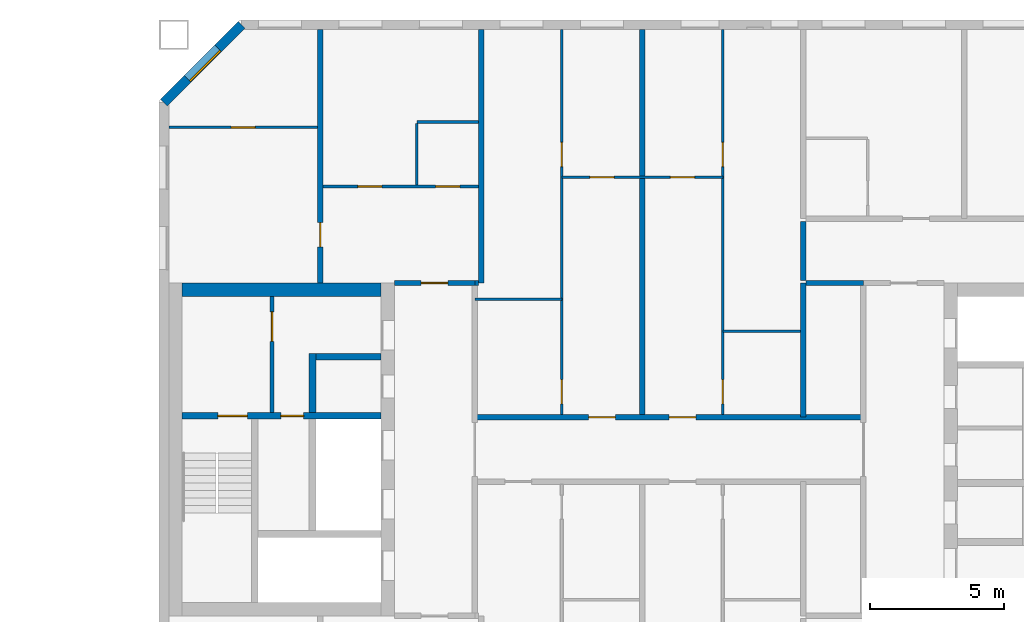
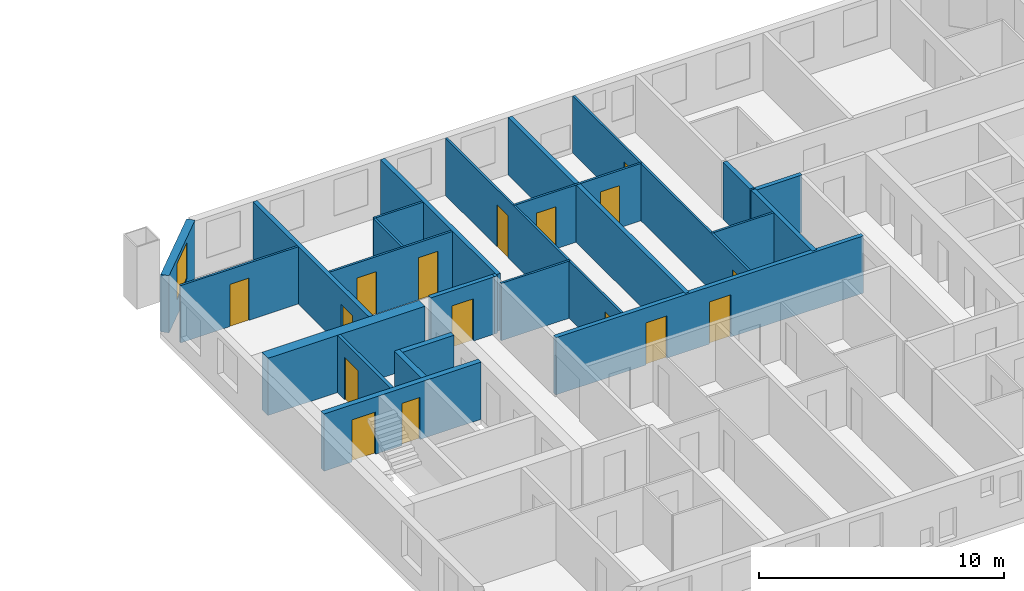
# One storey, part 10 of 15: 24 walls, 16 doors, 1 window, 17 openings.
"""IFC4 building model written with IfcOpenShell, lengths in metres."""

from ifc_helpers import new_model, si_unit, direction, frame, frame_2d, origin, place, context, subcontext, project, spatial, rectangle, extrude, material, layer, layer_set, type_object, element, fill, save


model = new_model("IFC4")

# Units and contexts
model_context = context("Model", 3, precision=1e-05, world=origin(), true_north=direction((0.0, 1.0)))
body_context = subcontext(model_context, "Body", "Model", "MODEL_VIEW")
ifc_project = project(units=[si_unit("LENGTHUNIT", "METRE"), si_unit("AREAUNIT", "SQUARE_METRE"), si_unit("VOLUMEUNIT", "CUBIC_METRE"), si_unit("PLANEANGLEUNIT", "RADIAN"), si_unit("MASSUNIT", "GRAM", prefix="KILO")], contexts=[model_context])

# Site, building, storey
site_placement = place(None, origin())
site = spatial("IfcSite", under=ifc_project, at=site_placement, CompositionType="ELEMENT")
building_placement = place(site_placement, origin())
building = spatial("IfcBuilding", under=site, at=building_placement, Name="Tuart Gate Housing", CompositionType="ELEMENT")
storey_placement = place(building_placement, frame((0.0, 0.0, 164.0)))
storey = spatial("IfcBuildingStorey", under=building, at=storey_placement, Name="L46", CompositionType="ELEMENT", Elevation=164.0)

# Wall, opening, window
ifc_material_1 = material(Name="Brick", Category="masonry")
ifc_layer_1 = layer(ifc_material_1, 0.360107421875)
ifc_layer_set_1 = layer_set([ifc_layer_1], Name="Brick pier and spandrel wall 360")
wall_type_1 = type_object("IfcWallType", Name="Brick pier and spandrel wall 360", PredefinedType="STANDARD", material=ifc_layer_set_1)
wall_1_placement = place(storey_placement, frame((134.07470703125, 85.820068359375, 0.0), z_axis=(0.0, 0.0, 1.0), x_axis=(-0.707106781187, -0.707106781187, 0.0)))
wall_1 = element("IfcWall", 1, at=wall_1_placement, inside=storey, type_object=wall_type_1, Name="External wall B-NW L46", PredefinedType="STANDARD", context=body_context, shape_type="SweptSolid", body=[
    extrude(rectangle(XDim=4.09375, YDim=0.360107421875, at=frame_2d((2.046875, 0.0))), origin(), (0.0, 0.0, 1.0), 2.85009765625),
])
opening_1_placement = place(wall_1_placement, frame((1.2470703125, 0.0, 0.800048828125)))
opening_1 = element("IfcOpeningElement", 2, at=opening_1_placement, cuts=wall_1, Name="Opening W1", PredefinedType="OPENING", context=body_context, shape_type="SweptSolid", body=[
    extrude(rectangle(XDim=1.60009765625, YDim=1.800048828125, at=frame_2d((0.800048828125, 0.89990234375))), frame((0.0, 0.18994140625, 0.0), z_axis=(0.0, -1.0, 0.0), x_axis=(1.0, 0.0, 0.0)), (0.0, 0.0, 1.0), 0.380126953125),
])
ifc_material_2 = material(Name="Aluminium frame with clear glass", Category="aluminium")
window_type = type_object("IfcWindowType", Name="Punched window 1600 x 1800", PartitioningType="SINGLE_PANEL", PredefinedType="WINDOW", material=ifc_material_2)
window_placement = place(opening_1_placement, origin())
window = element("IfcWindow", 3, at=window_placement, inside=storey, type_object=window_type, Name="Window W1", OverallHeight=1.800048828125, OverallWidth=1.60009765625, PartitioningType="SINGLE_PANEL", PredefinedType="WINDOW", context=body_context, shape_type="SweptSolid", body=[
    extrude(rectangle(XDim=1.60009765625, YDim=1.800048828125, at=frame_2d((0.800048828125, 0.89990234375))), frame((0.0, 0.150146484375, 0.0), z_axis=(0.0, -1.0, 0.0), x_axis=(1.0, 0.0, 0.0)), (0.0, 0.0, 1.0), 0.06005859375),
])
fill(opening_1, window)

# Wall, opening, door
ifc_material_3 = material(Name="Plasterboard partition")
ifc_layer_2 = layer(ifc_material_3, 0.14990234375)
ifc_layer_set_2 = layer_set([ifc_layer_2], Name="Core partition 150")
wall_type_2 = type_object("IfcWallType", Name="Core partition 150", PredefinedType="PARTITIONING", material=ifc_layer_set_2)
wall_2_placement = place(storey_placement, frame((135.2099609375, 71.375, 0.0), z_axis=(0.0, 0.0, 1.0), x_axis=(0.0, 1.0, 0.0)))
wall_2 = element("IfcWall", 4, at=wall_2_placement, inside=storey, type_object=wall_type_2, Name="Core partition BG.6", PredefinedType="PARTITIONING", context=body_context, shape_type="SweptSolid", body=[
    extrude(rectangle(XDim=4.324951171875, YDim=0.14990234375, at=frame_2d((2.16259765625, 0.0))), origin(), (0.0, 0.0, 1.0), 2.85009765625),
])
opening_2_placement = place(wall_2_placement, frame((2.64990234375, 0.0, 0.0)))
opening_2 = element("IfcOpeningElement", 5, at=opening_2_placement, cuts=wall_2, Name="Opening D1698", PredefinedType="OPENING", context=body_context, shape_type="SweptSolid", body=[
    extrude(rectangle(XDim=1.10009765625, YDim=2.10009765625, at=frame_2d((0.550048828125, 1.050048828125))), frame((0.0, 0.0849609375, 0.0), z_axis=(0.0, -1.0, 0.0), x_axis=(1.0, 0.0, 0.0)), (0.0, 0.0, 1.0), 0.169921875),
])
ifc_material_4 = material(Name="Steel fire door", Category="steel")
door_type_1 = type_object("IfcDoorType", Name="Lobby door 1100 x 2100 RH", OperationType="SINGLE_SWING_RIGHT", PredefinedType="DOOR", material=ifc_material_4)
door_1_placement = place(opening_2_placement, origin())
door_1 = element("IfcDoor", 6, at=door_1_placement, inside=storey, type_object=door_type_1, Name="Smoke lobby door BG.KD", OperationType="SINGLE_SWING_RIGHT", OverallHeight=2.10009765625, OverallWidth=1.10009765625, PredefinedType="DOOR", context=body_context, shape_type="SweptSolid", body=[
    extrude(rectangle(XDim=1.10009765625, YDim=2.10009765625, at=frame_2d((0.550048828125, 1.050048828125))), frame((0.0, 0.02490234375, 0.0), z_axis=(0.0, -1.0, 0.0), x_axis=(1.0, 0.0, 0.0)), (0.0, 0.0, 1.0), 0.050048828125),
])
fill(opening_2, door_1)

# Wall, openings, doors
ifc_material_5 = material(Name="Concrete C40", Category="concrete")
ifc_layer_3 = layer(ifc_material_5, 0.25)
ifc_layer_set_3 = layer_set([ifc_layer_3], Name="Core wall 250 C40")
wall_type_3 = type_object("IfcWallType", Name="Core wall 250 C40", PredefinedType="SHEAR", material=ifc_layer_set_3)
wall_3_placement = place(storey_placement, frame((139.260009765625, 71.25, 0.0), z_axis=(0.0, 0.0, 1.0), x_axis=(-1.0, 0.0, 0.0)))
wall_3 = element("IfcWall", 7, at=wall_3_placement, inside=storey, type_object=wall_type_3, Name="Core wall BG.2", PredefinedType="SHEAR", context=body_context, shape_type="SweptSolid", body=[
    extrude(rectangle(XDim=7.39990234375, YDim=0.25, at=frame_2d((3.699951171875, 0.0))), origin(), (0.0, 0.0, 1.0), 2.85009765625),
])
opening_3_placement = place(wall_3_placement, frame((4.97509765625, 0.0, 0.0)))
opening_3 = element("IfcOpeningElement", 8, at=opening_3_placement, cuts=wall_3, Name="Opening D1700", PredefinedType="OPENING", context=body_context, shape_type="SweptSolid", body=[
    extrude(rectangle(XDim=1.10009765625, YDim=2.10009765625, at=frame_2d((0.550048828125, 1.050048828125))), frame((0.0, 0.135009765625, 0.0), z_axis=(0.0, -1.0, 0.0), x_axis=(1.0, 0.0, 0.0)), (0.0, 0.0, 1.0), 0.27001953125),
])
opening_4_placement = place(wall_3_placement, frame((2.875, 0.0, 0.0)))
opening_4 = element("IfcOpeningElement", 9, at=opening_4_placement, cuts=wall_3, Name="Opening D1699", PredefinedType="OPENING", context=body_context, shape_type="SweptSolid", body=[
    extrude(rectangle(XDim=0.85009765625, YDim=2.10009765625, at=frame_2d((0.425048828125, 1.050048828125))), frame((0.0, 0.135009765625, 0.0), z_axis=(0.0, -1.0, 0.0), x_axis=(1.0, 0.0, 0.0)), (0.0, 0.0, 1.0), 0.27001953125),
])
ifc_material_6 = material(Name="Steel fire door", Category="steel")
door_type_2 = type_object("IfcDoorType", Name="Riser door 850 x 2100", OperationType="SINGLE_SWING_LEFT", PredefinedType="DOOR", material=ifc_material_6)
door_2_placement = place(opening_4_placement, origin())
door_2 = element("IfcDoor", 10, at=door_2_placement, inside=storey, type_object=door_type_2, Name="Service room door BG.W1", OperationType="SINGLE_SWING_LEFT", OverallHeight=2.10009765625, OverallWidth=0.85009765625, PredefinedType="DOOR", context=body_context, shape_type="SweptSolid", body=[
    extrude(rectangle(XDim=0.85009765625, YDim=2.10009765625, at=frame_2d((0.425048828125, 1.050048828125))), frame((0.0, 0.02490234375, 0.0), z_axis=(0.0, -1.0, 0.0), x_axis=(1.0, 0.0, 0.0)), (0.0, 0.0, 1.0), 0.050048828125),
])
fill(opening_4, door_2)
ifc_material_7 = material(Name="Steel fire door", Category="steel")
door_type_3 = type_object("IfcDoorType", Name="Stair door 1100 x 2100", OperationType="SINGLE_SWING_LEFT", PredefinedType="DOOR", material=ifc_material_7)
door_3_placement = place(opening_3_placement, origin())
door_3 = element("IfcDoor", 11, at=door_3_placement, inside=storey, type_object=door_type_3, Name="Stair door BG.SD", OperationType="SINGLE_SWING_LEFT", OverallHeight=2.10009765625, OverallWidth=1.10009765625, PredefinedType="DOOR", context=body_context, shape_type="SweptSolid", body=[
    extrude(rectangle(XDim=1.10009765625, YDim=2.10009765625, at=frame_2d((0.550048828125, 1.050048828125))), frame((0.0, 0.02490234375, 0.0), z_axis=(0.0, -1.0, 0.0), x_axis=(1.0, 0.0, 0.0)), (0.0, 0.0, 1.0), 0.050048828125),
])
fill(opening_3, door_3)

# Walls
wall_4_placement = place(storey_placement, frame((139.260009765625, 73.449951171875, 0.0), z_axis=(0.0, 0.0, 1.0), x_axis=(-1.0, 0.0, 0.0)))
element("IfcWall", 12, at=wall_4_placement, inside=storey, type_object=wall_type_3, Name="Core wall BG.3", PredefinedType="SHEAR", context=body_context, shape_type="SweptSolid", body=[
    extrude(rectangle(XDim=2.425048828125, YDim=0.25, at=frame_2d((1.21240234375, 0.0))), origin(), (0.0, 0.0, 1.0), 2.85009765625),
])
wall_5_placement = place(storey_placement, frame((136.7099609375, 71.375, 0.0), z_axis=(0.0, 0.0, 1.0), x_axis=(0.0, 1.0, 0.0)))
element("IfcWall", 13, at=wall_5_placement, inside=storey, type_object=wall_type_3, Name="Core wall BG.5", PredefinedType="SHEAR", context=body_context, shape_type="SweptSolid", body=[
    extrude(rectangle(XDim=2.199951171875, YDim=0.25, at=frame_2d((1.10009765625, 0.0))), origin(), (0.0, 0.0, 1.0), 2.85009765625),
])
ifc_material_8 = material(Name="Concrete C40", Category="concrete")
ifc_layer_4 = layer(ifc_material_8, 0.5)
ifc_layer_set_4 = layer_set([ifc_layer_4], Name="Core wall 500 C40")
wall_type_4 = type_object("IfcWallType", Name="Core wall 500 C40", PredefinedType="SHEAR", material=ifc_layer_set_4)
wall_6_placement = place(storey_placement, frame((139.260009765625, 75.949951171875, 0.0), z_axis=(0.0, 0.0, 1.0), x_axis=(-1.0, 0.0, 0.0)))
element("IfcWall", 14, at=wall_6_placement, inside=storey, type_object=wall_type_4, Name="Core wall BG north", PredefinedType="SHEAR", context=body_context, shape_type="SweptSolid", body=[
    extrude(rectangle(XDim=7.39990234375, YDim=0.5, at=frame_2d((3.699951171875, 0.0))), origin(), (0.0, 0.0, 1.0), 2.85009765625),
])

# Wall, openings, doors
ifc_material_9 = material(Name="Concrete masonry 15 MPa", Category="masonry")
ifc_layer_5 = layer(ifc_material_9, 0.199951171875)
ifc_layer_set_5 = layer_set([ifc_layer_5], Name="Corridor wall masonry 200")
wall_type_5 = type_object("IfcWallType", Name="Corridor wall masonry 200", PredefinedType="PARTITIONING", material=ifc_layer_set_5)
wall_7_placement = place(storey_placement, frame((142.760009765625, 71.199951171875, 0.0), z_axis=(0.0, 0.0, 1.0), x_axis=(1.0, 0.0, 0.0)))
wall_7 = element("IfcWall", 15, at=wall_7_placement, inside=storey, type_object=wall_type_5, Name="Corridor wall masonry 200", PredefinedType="PARTITIONING", context=body_context, shape_type="SweptSolid", body=[
    extrude(rectangle(XDim=14.47998046875, YDim=0.199951171875, at=frame_2d((7.239990234375, 0.0))), origin(), (0.0, 0.0, 1.0), 2.85009765625),
])
opening_5_placement = place(wall_7_placement, frame((4.239990234375, 0.0, 0.0)))
opening_5 = element("IfcOpeningElement", 16, at=opening_5_placement, cuts=wall_7, Name="Opening D1701", PredefinedType="OPENING", context=body_context, shape_type="SweptSolid", body=[
    extrude(rectangle(XDim=1.0, YDim=2.10009765625, at=frame_2d((0.5, 1.050048828125))), frame((0.0, 0.10986328125, 0.0), z_axis=(0.0, -1.0, 0.0), x_axis=(1.0, 0.0, 0.0)), (0.0, 0.0, 1.0), 0.219970703125),
])
opening_6_placement = place(wall_7_placement, frame((7.239990234375, 0.0, 0.0)))
opening_6 = element("IfcOpeningElement", 17, at=opening_6_placement, cuts=wall_7, Name="Opening D1702", PredefinedType="OPENING", context=body_context, shape_type="SweptSolid", body=[
    extrude(rectangle(XDim=1.0, YDim=2.10009765625, at=frame_2d((0.5, 1.050048828125))), frame((0.0, 0.10986328125, 0.0), z_axis=(0.0, -1.0, 0.0), x_axis=(1.0, 0.0, 0.0)), (0.0, 0.0, 1.0), 0.219970703125),
])
ifc_material_10 = material(Name="Timber door leaf in steel frame", Category="steel")
door_type_4 = type_object("IfcDoorType", Name="Flat entrance door 1000", OperationType="SINGLE_SWING_LEFT", PredefinedType="DOOR", material=ifc_material_10)
door_4_placement = place(opening_5_placement, origin())
door_4 = element("IfcDoor", 18, at=door_4_placement, inside=storey, type_object=door_type_4, Name="Flat entrance door", OperationType="SINGLE_SWING_LEFT", OverallHeight=2.10009765625, OverallWidth=1.0, PredefinedType="DOOR", context=body_context, shape_type="SweptSolid", body=[
    extrude(rectangle(XDim=1.0, YDim=2.10009765625, at=frame_2d((0.5, 1.050048828125))), frame((0.0, 0.02490234375, 0.0), z_axis=(0.0, -1.0, 0.0), x_axis=(1.0, 0.0, 0.0)), (0.0, 0.0, 1.0), 0.050048828125),
])
fill(opening_5, door_4)
door_5_placement = place(opening_6_placement, origin())
door_5 = element("IfcDoor", 19, at=door_5_placement, inside=storey, type_object=door_type_4, Name="Flat entrance door", OperationType="SINGLE_SWING_LEFT", OverallHeight=2.10009765625, OverallWidth=1.0, PredefinedType="DOOR", context=body_context, shape_type="SweptSolid", body=[
    extrude(rectangle(XDim=1.0, YDim=2.10009765625, at=frame_2d((0.5, 1.050048828125))), frame((0.0, 0.02490234375, 0.0), z_axis=(0.0, -1.0, 0.0), x_axis=(1.0, 0.0, 0.0)), (0.0, 0.0, 1.0), 0.050048828125),
])
fill(opening_6, door_5)

# Walls
wall_8_placement = place(storey_placement, frame((155.10009765625, 76.199951171875, 0.0), z_axis=(0.0, 0.0, 1.0), x_axis=(1.0, 0.0, 0.0)))
element("IfcWall", 20, at=wall_8_placement, inside=storey, type_object=wall_type_5, Name="Corridor wall masonry 200", PredefinedType="PARTITIONING", context=body_context, shape_type="SweptSolid", body=[
    extrude(rectangle(XDim=2.139892578125, YDim=0.199951171875, at=frame_2d((1.06982421875, 0.0))), origin(), (0.0, 0.0, 1.0), 2.85009765625),
])
wall_9_placement = place(storey_placement, frame((155.0, 76.300048828125, 0.0), z_axis=(0.0, 0.0, 1.0), x_axis=(0.0, 1.0, 0.0)))
element("IfcWall", 21, at=wall_9_placement, inside=storey, type_object=wall_type_5, Name="Corridor wall masonry 200", PredefinedType="PARTITIONING", context=body_context, shape_type="SweptSolid", body=[
    extrude(rectangle(XDim=2.199951171875, YDim=0.199951171875, at=frame_2d((1.10009765625, 0.0))), origin(), (0.0, 0.0, 1.0), 2.85009765625),
])

# Wall, opening, door
ifc_material_11 = material(Name="Concrete masonry 15 MPa", Category="masonry")
ifc_layer_6 = layer(ifc_material_11, 0.199951171875)
ifc_layer_set_6 = layer_set([ifc_layer_6], Name="Enclosure wall masonry 200")
wall_type_6 = type_object("IfcWallType", Name="Enclosure wall masonry 200", PredefinedType="PARTITIONING", material=ifc_layer_set_6)
wall_10_placement = place(storey_placement, frame((139.760009765625, 76.199951171875, 0.0), z_axis=(0.0, 0.0, 1.0), x_axis=(1.0, 0.0, 0.0)))
wall_10 = element("IfcWall", 22, at=wall_10_placement, inside=storey, type_object=wall_type_6, Name="Enclosure wall masonry 200", PredefinedType="PARTITIONING", context=body_context, shape_type="SweptSolid", body=[
    extrude(rectangle(XDim=3.0, YDim=0.199951171875, at=frame_2d((1.5, 0.0))), origin(), (0.0, 0.0, 1.0), 2.85009765625),
])
opening_7_placement = place(wall_10_placement, frame((1.0, 0.0, 0.0)))
opening_7 = element("IfcOpeningElement", 23, at=opening_7_placement, cuts=wall_10, Name="Opening D1696", PredefinedType="OPENING", context=body_context, shape_type="SweptSolid", body=[
    extrude(rectangle(XDim=1.0, YDim=2.10009765625, at=frame_2d((0.5, 1.050048828125))), frame((0.0, 0.10986328125, 0.0), z_axis=(0.0, -1.0, 0.0), x_axis=(1.0, 0.0, 0.0)), (0.0, 0.0, 1.0), 0.219970703125),
])
ifc_material_12 = material(Name="Timber door leaf in steel frame", Category="steel")
door_type_5 = type_object("IfcDoorType", Name="Flat entrance door 1000 RH", OperationType="SINGLE_SWING_RIGHT", PredefinedType="DOOR", material=ifc_material_12)
door_6_placement = place(opening_7_placement, origin())
door_6 = element("IfcDoor", 24, at=door_6_placement, inside=storey, type_object=door_type_5, Name="Flat entrance door", OperationType="SINGLE_SWING_RIGHT", OverallHeight=2.10009765625, OverallWidth=1.0, PredefinedType="DOOR", context=body_context, shape_type="SweptSolid", body=[
    extrude(rectangle(XDim=1.0, YDim=2.10009765625, at=frame_2d((0.5, 1.050048828125))), frame((0.0, 0.02490234375, 0.0), z_axis=(0.0, -1.0, 0.0), x_axis=(1.0, 0.0, 0.0)), (0.0, 0.0, 1.0), 0.050048828125),
])
fill(opening_7, door_6)

# Walls
ifc_material_13 = material(Name="Gypsum board on steel studs", Category="steel")
ifc_layer_7 = layer(ifc_material_13, 0.10009765625)
ifc_layer_set_7 = layer_set([ifc_layer_7], Name="Partition 100")
wall_type_7 = type_object("IfcWallType", Name="Partition 100", PredefinedType="PARTITIONING", material=ifc_layer_set_7)
wall_11_placement = place(storey_placement, frame((152.0, 74.39990234375, 0.0), z_axis=(0.0, 0.0, 1.0), x_axis=(1.0, 0.0, 0.0)))
element("IfcWall", 25, at=wall_11_placement, inside=storey, type_object=wall_type_7, Name="Partition 100", PredefinedType="PARTITIONING", context=body_context, shape_type="SweptSolid", body=[
    extrude(rectangle(XDim=2.89990234375, YDim=0.10009765625, at=frame_2d((1.449951171875, 0.0))), origin(), (0.0, 0.0, 1.0), 2.85009765625),
])
wall_12_placement = place(storey_placement, frame((142.760009765625, 75.60009765625, 0.0), z_axis=(0.0, 0.0, 1.0), x_axis=(1.0, 0.0, 0.0)))
element("IfcWall", 26, at=wall_12_placement, inside=storey, type_object=wall_type_7, Name="Partition 100", PredefinedType="PARTITIONING", context=body_context, shape_type="SweptSolid", body=[
    extrude(rectangle(XDim=3.239990234375, YDim=0.10009765625, at=frame_2d((1.6201171875, 0.0))), origin(), (0.0, 0.0, 1.0), 2.85009765625),
])

# Wall, openings, doors
wall_13_placement = place(storey_placement, frame((137.10009765625, 79.800048828125, 0.0), z_axis=(0.0, 0.0, 1.0), x_axis=(1.0, 0.0, 0.0)))
wall_13 = element("IfcWall", 27, at=wall_13_placement, inside=storey, type_object=wall_type_7, Name="Partition 100", PredefinedType="PARTITIONING", context=body_context, shape_type="SweptSolid", body=[
    extrude(rectangle(XDim=5.7998046875, YDim=0.10009765625, at=frame_2d((2.89990234375, 0.0))), origin(), (0.0, 0.0, 1.0), 2.85009765625),
])
opening_8_placement = place(wall_13_placement, frame((1.300048828125, 0.0, 0.0)))
opening_8 = element("IfcOpeningElement", 28, at=opening_8_placement, cuts=wall_13, Name="Opening D1689", PredefinedType="OPENING", context=body_context, shape_type="SweptSolid", body=[
    extrude(rectangle(XDim=0.89990234375, YDim=2.10009765625, at=frame_2d((0.449951171875, 1.050048828125))), frame((0.0, 0.06005859375, 0.0), z_axis=(0.0, -1.0, 0.0), x_axis=(1.0, 0.0, 0.0)), (0.0, 0.0, 1.0), 0.1201171875),
])
opening_9_placement = place(wall_13_placement, frame((4.199951171875, 0.0, 0.0)))
opening_9 = element("IfcOpeningElement", 29, at=opening_9_placement, cuts=wall_13, Name="Opening D1688", PredefinedType="OPENING", context=body_context, shape_type="SweptSolid", body=[
    extrude(rectangle(XDim=0.89990234375, YDim=2.10009765625, at=frame_2d((0.449951171875, 1.050048828125))), frame((0.0, 0.06005859375, 0.0), z_axis=(0.0, -1.0, 0.0), x_axis=(1.0, 0.0, 0.0)), (0.0, 0.0, 1.0), 0.1201171875),
])
ifc_material_14 = material(Name="Timber door leaf in steel frame", Category="steel")
door_type_6 = type_object("IfcDoorType", Name="Bathroom door 900", OperationType="SINGLE_SWING_LEFT", PredefinedType="DOOR", material=ifc_material_14)
door_7_placement = place(opening_9_placement, origin())
door_7 = element("IfcDoor", 30, at=door_7_placement, inside=storey, type_object=door_type_6, Name="Bathroom door", OperationType="SINGLE_SWING_LEFT", OverallHeight=2.10009765625, OverallWidth=0.89990234375, PredefinedType="DOOR", context=body_context, shape_type="SweptSolid", body=[
    extrude(rectangle(XDim=0.89990234375, YDim=2.10009765625, at=frame_2d((0.449951171875, 1.050048828125))), frame((0.0, 0.02490234375, 0.0), z_axis=(0.0, -1.0, 0.0), x_axis=(1.0, 0.0, 0.0)), (0.0, 0.0, 1.0), 0.050048828125),
])
fill(opening_9, door_7)
ifc_material_15 = material(Name="Timber door leaf in steel frame", Category="steel")
door_type_7 = type_object("IfcDoorType", Name="Internal door 900 RH", OperationType="SINGLE_SWING_RIGHT", PredefinedType="DOOR", material=ifc_material_15)
door_8_placement = place(opening_8_placement, origin())
door_8 = element("IfcDoor", 31, at=door_8_placement, inside=storey, type_object=door_type_7, Name="Internal door", OperationType="SINGLE_SWING_RIGHT", OverallHeight=2.10009765625, OverallWidth=0.89990234375, PredefinedType="DOOR", context=body_context, shape_type="SweptSolid", body=[
    extrude(rectangle(XDim=0.89990234375, YDim=2.10009765625, at=frame_2d((0.449951171875, 1.050048828125))), frame((0.0, 0.02490234375, 0.0), z_axis=(0.0, -1.0, 0.0), x_axis=(1.0, 0.0, 0.0)), (0.0, 0.0, 1.0), 0.050048828125),
])
fill(opening_8, door_8)

wall_14_placement = place(storey_placement, frame((146.0, 80.139892578125, 0.0), z_axis=(0.0, 0.0, 1.0), x_axis=(1.0, 0.0, 0.0)))
wall_14 = element("IfcWall", 32, at=wall_14_placement, inside=storey, type_object=wall_type_7, Name="Partition 100", PredefinedType="PARTITIONING", context=body_context, shape_type="SweptSolid", body=[
    extrude(rectangle(XDim=6.0, YDim=0.10009765625, at=frame_2d((3.0, 0.0))), origin(), (0.0, 0.0, 1.0), 2.85009765625),
])
opening_10_placement = place(wall_14_placement, frame((1.050048828125, 0.0, 0.0)))
opening_10 = element("IfcOpeningElement", 33, at=opening_10_placement, cuts=wall_14, Name="Opening D1685", PredefinedType="OPENING", context=body_context, shape_type="SweptSolid", body=[
    extrude(rectangle(XDim=0.89990234375, YDim=2.10009765625, at=frame_2d((0.449951171875, 1.050048828125))), frame((0.0, 0.06005859375, 0.0), z_axis=(0.0, -1.0, 0.0), x_axis=(1.0, 0.0, 0.0)), (0.0, 0.0, 1.0), 0.1201171875),
])
opening_11_placement = place(wall_14_placement, frame((4.050048828125, 0.0, 0.0)))
opening_11 = element("IfcOpeningElement", 34, at=opening_11_placement, cuts=wall_14, Name="Opening D1686", PredefinedType="OPENING", context=body_context, shape_type="SweptSolid", body=[
    extrude(rectangle(XDim=0.89990234375, YDim=2.10009765625, at=frame_2d((0.449951171875, 1.050048828125))), frame((0.0, 0.06005859375, 0.0), z_axis=(0.0, -1.0, 0.0), x_axis=(1.0, 0.0, 0.0)), (0.0, 0.0, 1.0), 0.1201171875),
])
door_9_placement = place(opening_10_placement, frame((0.89990234375, 0.0, 0.0), z_axis=(0.0, 0.0, 1.0), x_axis=(-1.0, 0.0, 0.0)))
door_9 = element("IfcDoor", 35, at=door_9_placement, inside=storey, type_object=door_type_7, Name="Internal door", OperationType="SINGLE_SWING_RIGHT", OverallHeight=2.10009765625, OverallWidth=0.89990234375, PredefinedType="DOOR", context=body_context, shape_type="SweptSolid", body=[
    extrude(rectangle(XDim=0.89990234375, YDim=2.10009765625, at=frame_2d((0.449951171875, 1.050048828125))), frame((0.0, 0.025146484375, 0.0), z_axis=(0.0, -1.0, 0.0), x_axis=(1.0, 0.0, 0.0)), (0.0, 0.0, 1.0), 0.050048828125),
])
fill(opening_10, door_9)
door_10_placement = place(opening_11_placement, frame((0.89990234375, 0.0, 0.0), z_axis=(0.0, 0.0, 1.0), x_axis=(-1.0, 0.0, 0.0)))
door_10 = element("IfcDoor", 36, at=door_10_placement, inside=storey, type_object=door_type_7, Name="Internal door", OperationType="SINGLE_SWING_RIGHT", OverallHeight=2.10009765625, OverallWidth=0.89990234375, PredefinedType="DOOR", context=body_context, shape_type="SweptSolid", body=[
    extrude(rectangle(XDim=0.89990234375, YDim=2.10009765625, at=frame_2d((0.449951171875, 1.050048828125))), frame((0.0, 0.025146484375, 0.0), z_axis=(0.0, -1.0, 0.0), x_axis=(1.0, 0.0, 0.0)), (0.0, 0.0, 1.0), 0.050048828125),
])
fill(opening_11, door_10)

# Wall, opening, door
wall_15_placement = place(storey_placement, frame((131.360107421875, 82.0, 0.0), z_axis=(0.0, 0.0, 1.0), x_axis=(1.0, 0.0, 0.0)))
wall_15 = element("IfcWall", 37, at=wall_15_placement, inside=storey, type_object=wall_type_7, Name="Partition 100", PredefinedType="PARTITIONING", context=body_context, shape_type="SweptSolid", body=[
    extrude(rectangle(XDim=5.539794921875, YDim=0.10009765625, at=frame_2d((2.77001953125, 0.0))), origin(), (0.0, 0.0, 1.0), 2.85009765625),
])
opening_12_placement = place(wall_15_placement, frame((2.320068359375, 0.0, 0.0)))
opening_12 = element("IfcOpeningElement", 38, at=opening_12_placement, cuts=wall_15, Name="Opening D1683", PredefinedType="OPENING", context=body_context, shape_type="SweptSolid", body=[
    extrude(rectangle(XDim=0.89990234375, YDim=2.10009765625, at=frame_2d((0.449951171875, 1.050048828125))), frame((0.0, 0.06005859375, 0.0), z_axis=(0.0, -1.0, 0.0), x_axis=(1.0, 0.0, 0.0)), (0.0, 0.0, 1.0), 0.1201171875),
])
ifc_material_16 = material(Name="Timber door leaf in steel frame", Category="steel")
door_type_8 = type_object("IfcDoorType", Name="Internal door 900", OperationType="SINGLE_SWING_LEFT", PredefinedType="DOOR", material=ifc_material_16)
door_11_placement = place(opening_12_placement, origin())
door_11 = element("IfcDoor", 39, at=door_11_placement, inside=storey, type_object=door_type_8, Name="Internal door", OperationType="SINGLE_SWING_LEFT", OverallHeight=2.10009765625, OverallWidth=0.89990234375, PredefinedType="DOOR", context=body_context, shape_type="SweptSolid", body=[
    extrude(rectangle(XDim=0.89990234375, YDim=2.10009765625, at=frame_2d((0.449951171875, 1.050048828125))), frame((0.0, 0.02490234375, 0.0), z_axis=(0.0, -1.0, 0.0), x_axis=(1.0, 0.0, 0.0)), (0.0, 0.0, 1.0), 0.050048828125),
])
fill(opening_12, door_11)

# Walls
for number, where, z_axis, x_axis, name in (
    (40, (140.60009765625, 82.199951171875, 0.0), (0.0, 0.0, 1.0), (1.0, 0.0, 0.0), "Partition 100"),
    (41, (140.60009765625, 79.85009765625, 0.0), (0.0, 0.0, 1.0), (0.0, 1.0, 0.0), "Partition 100"),
):
    element("IfcWall", number, at=place(storey_placement, frame(where, z_axis=z_axis, x_axis=x_axis)), inside=storey, type_object=wall_type_7, Name=name, PredefinedType="PARTITIONING", context=body_context, shape_type="SweptSolid", body=[
        extrude(rectangle(XDim=2.2998046875, YDim=0.10009765625, at=frame_2d((1.14990234375, 0.0))), origin(), (0.0, 0.0, 1.0), 2.85009765625),
    ])

# Wall, openings, doors
wall_16_placement = place(storey_placement, frame((146.0, 71.300048828125, 0.0), z_axis=(0.0, 0.0, 1.0), x_axis=(0.0, 1.0, 0.0)))
wall_16 = element("IfcWall", 42, at=wall_16_placement, inside=storey, type_object=wall_type_7, Name="Partition 100", PredefinedType="PARTITIONING", context=body_context, shape_type="SweptSolid", body=[
    extrude(rectangle(XDim=14.33984375, YDim=0.10009765625, at=frame_2d((7.169921875, 0.0))), origin(), (0.0, 0.0, 1.0), 2.85009765625),
])
opening_13_placement = place(wall_16_placement, frame((9.239990234375, 0.0, 0.0)))
opening_13 = element("IfcOpeningElement", 43, at=opening_13_placement, cuts=wall_16, Name="Opening D1693", PredefinedType="OPENING", context=body_context, shape_type="SweptSolid", body=[
    extrude(rectangle(XDim=0.89990234375, YDim=2.10009765625, at=frame_2d((0.449951171875, 1.050048828125))), frame((0.0, 0.06005859375, 0.0), z_axis=(0.0, -1.0, 0.0), x_axis=(1.0, 0.0, 0.0)), (0.0, 0.0, 1.0), 0.1201171875),
])
opening_14_placement = place(wall_16_placement, frame((0.39990234375, 0.0, 0.0)))
opening_14 = element("IfcOpeningElement", 44, at=opening_14_placement, cuts=wall_16, Name="Opening D1692", PredefinedType="OPENING", context=body_context, shape_type="SweptSolid", body=[
    extrude(rectangle(XDim=0.89990234375, YDim=2.10009765625, at=frame_2d((0.449951171875, 1.050048828125))), frame((0.0, 0.06005859375, 0.0), z_axis=(0.0, -1.0, 0.0), x_axis=(1.0, 0.0, 0.0)), (0.0, 0.0, 1.0), 0.1201171875),
])
door_12_placement = place(opening_14_placement, origin())
door_12 = element("IfcDoor", 45, at=door_12_placement, inside=storey, type_object=door_type_6, Name="Bathroom door", OperationType="SINGLE_SWING_LEFT", OverallHeight=2.10009765625, OverallWidth=0.89990234375, PredefinedType="DOOR", context=body_context, shape_type="SweptSolid", body=[
    extrude(rectangle(XDim=0.89990234375, YDim=2.10009765625, at=frame_2d((0.449951171875, 1.050048828125))), frame((0.0, 0.02490234375, 0.0), z_axis=(0.0, -1.0, 0.0), x_axis=(1.0, 0.0, 0.0)), (0.0, 0.0, 1.0), 0.050048828125),
])
fill(opening_14, door_12)
door_13_placement = place(opening_13_placement, origin())
door_13 = element("IfcDoor", 46, at=door_13_placement, inside=storey, type_object=door_type_7, Name="Internal door", OperationType="SINGLE_SWING_RIGHT", OverallHeight=2.10009765625, OverallWidth=0.89990234375, PredefinedType="DOOR", context=body_context, shape_type="SweptSolid", body=[
    extrude(rectangle(XDim=0.89990234375, YDim=2.10009765625, at=frame_2d((0.449951171875, 1.050048828125))), frame((0.0, 0.02490234375, 0.0), z_axis=(0.0, -1.0, 0.0), x_axis=(1.0, 0.0, 0.0)), (0.0, 0.0, 1.0), 0.050048828125),
])
fill(opening_13, door_13)

wall_17_placement = place(storey_placement, frame((152.0, 71.300048828125, 0.0), z_axis=(0.0, 0.0, 1.0), x_axis=(0.0, 1.0, 0.0)))
wall_17 = element("IfcWall", 47, at=wall_17_placement, inside=storey, type_object=wall_type_7, Name="Partition 100", PredefinedType="PARTITIONING", context=body_context, shape_type="SweptSolid", body=[
    extrude(rectangle(XDim=14.33984375, YDim=0.10009765625, at=frame_2d((7.169921875, 0.0))), origin(), (0.0, 0.0, 1.0), 2.85009765625),
])
opening_15_placement = place(wall_17_placement, frame((9.239990234375, 0.0, 0.0)))
opening_15 = element("IfcOpeningElement", 48, at=opening_15_placement, cuts=wall_17, Name="Opening D1695", PredefinedType="OPENING", context=body_context, shape_type="SweptSolid", body=[
    extrude(rectangle(XDim=0.89990234375, YDim=2.10009765625, at=frame_2d((0.449951171875, 1.050048828125))), frame((0.0, 0.06005859375, 0.0), z_axis=(0.0, -1.0, 0.0), x_axis=(1.0, 0.0, 0.0)), (0.0, 0.0, 1.0), 0.1201171875),
])
opening_16_placement = place(wall_17_placement, frame((0.39990234375, 0.0, 0.0)))
opening_16 = element("IfcOpeningElement", 49, at=opening_16_placement, cuts=wall_17, Name="Opening D1694", PredefinedType="OPENING", context=body_context, shape_type="SweptSolid", body=[
    extrude(rectangle(XDim=0.89990234375, YDim=2.10009765625, at=frame_2d((0.449951171875, 1.050048828125))), frame((0.0, 0.06005859375, 0.0), z_axis=(0.0, -1.0, 0.0), x_axis=(1.0, 0.0, 0.0)), (0.0, 0.0, 1.0), 0.1201171875),
])
ifc_material_17 = material(Name="Timber door leaf in steel frame", Category="steel")
door_type_9 = type_object("IfcDoorType", Name="Bathroom door 900 RH", OperationType="SINGLE_SWING_RIGHT", PredefinedType="DOOR", material=ifc_material_17)
door_14_placement = place(opening_16_placement, frame((0.89990234375, 0.0, 0.0), z_axis=(0.0, 0.0, 1.0), x_axis=(-1.0, 0.0, 0.0)))
door_14 = element("IfcDoor", 50, at=door_14_placement, inside=storey, type_object=door_type_9, Name="Bathroom door", OperationType="SINGLE_SWING_RIGHT", OverallHeight=2.10009765625, OverallWidth=0.89990234375, PredefinedType="DOOR", context=body_context, shape_type="SweptSolid", body=[
    extrude(rectangle(XDim=0.89990234375, YDim=2.10009765625, at=frame_2d((0.449951171875, 1.050048828125))), frame((0.0, 0.025146484375, 0.0), z_axis=(0.0, -1.0, 0.0), x_axis=(1.0, 0.0, 0.0)), (0.0, 0.0, 1.0), 0.050048828125),
])
fill(opening_16, door_14)
door_15_placement = place(opening_15_placement, frame((0.89990234375, 0.0, 0.0), z_axis=(0.0, 0.0, 1.0), x_axis=(-1.0, 0.0, 0.0)))
door_15 = element("IfcDoor", 51, at=door_15_placement, inside=storey, type_object=door_type_8, Name="Internal door", OperationType="SINGLE_SWING_LEFT", OverallHeight=2.10009765625, OverallWidth=0.89990234375, PredefinedType="DOOR", context=body_context, shape_type="SweptSolid", body=[
    extrude(rectangle(XDim=0.89990234375, YDim=2.10009765625, at=frame_2d((0.449951171875, 1.050048828125))), frame((0.0, 0.025146484375, 0.0), z_axis=(0.0, -1.0, 0.0), x_axis=(1.0, 0.0, 0.0)), (0.0, 0.0, 1.0), 0.050048828125),
])
fill(opening_15, door_15)

# Wall, opening, door
ifc_material_18 = material(Name="Concrete C40", Category="concrete")
ifc_layer_8 = layer(ifc_material_18, 0.199951171875)
ifc_layer_set_8 = layer_set([ifc_layer_8], Name="Party wall concrete C40 200")
wall_type_8 = type_object("IfcWallType", Name="Party wall concrete C40 200", PredefinedType="SOLIDWALL", material=ifc_layer_set_8)
wall_18_placement = place(storey_placement, frame((137.0, 76.199951171875, 0.0), z_axis=(0.0, 0.0, 1.0), x_axis=(0.0, 1.0, 0.0)))
wall_18 = element("IfcWall", 52, at=wall_18_placement, inside=storey, type_object=wall_type_8, Name="Party wall concrete C40 200", PredefinedType="SOLIDWALL", context=body_context, shape_type="SweptSolid", body=[
    extrude(rectangle(XDim=9.43994140625, YDim=0.199951171875, at=frame_2d((4.719970703125, 0.0))), origin(), (0.0, 0.0, 1.0), 2.85009765625),
])
opening_17_placement = place(wall_18_placement, frame((1.35009765625, 0.0, 0.0)))
opening_17 = element("IfcOpeningElement", 53, at=opening_17_placement, cuts=wall_18, Name="Opening D1684", PredefinedType="OPENING", context=body_context, shape_type="SweptSolid", body=[
    extrude(rectangle(XDim=0.89990234375, YDim=2.10009765625, at=frame_2d((0.449951171875, 1.050048828125))), frame((0.0, 0.10986328125, 0.0), z_axis=(0.0, -1.0, 0.0), x_axis=(1.0, 0.0, 0.0)), (0.0, 0.0, 1.0), 0.219970703125),
])
door_16_placement = place(opening_17_placement, frame((0.89990234375, 0.0, 0.0), z_axis=(0.0, 0.0, 1.0), x_axis=(-1.0, 0.0, 0.0)))
door_16 = element("IfcDoor", 54, at=door_16_placement, inside=storey, type_object=door_type_7, Name="Internal door", OperationType="SINGLE_SWING_RIGHT", OverallHeight=2.10009765625, OverallWidth=0.89990234375, PredefinedType="DOOR", context=body_context, shape_type="SweptSolid", body=[
    extrude(rectangle(XDim=0.89990234375, YDim=2.10009765625, at=frame_2d((0.449951171875, 1.050048828125))), frame((0.0, 0.025146484375, 0.0), z_axis=(0.0, -1.0, 0.0), x_axis=(1.0, 0.0, 0.0)), (0.0, 0.0, 1.0), 0.050048828125),
])
fill(opening_17, door_16)

# Walls
wall_19_placement = place(storey_placement, frame((143.0, 76.199951171875, 0.0), z_axis=(0.0, 0.0, 1.0), x_axis=(0.0, 1.0, 0.0)))
element("IfcWall", 55, at=wall_19_placement, inside=storey, type_object=wall_type_8, Name="Party wall concrete C40 200", PredefinedType="SOLIDWALL", context=body_context, shape_type="SweptSolid", body=[
    extrude(rectangle(XDim=9.43994140625, YDim=0.199951171875, at=frame_2d((4.719970703125, 0.0))), origin(), (0.0, 0.0, 1.0), 2.85009765625),
])
wall_20_placement = place(storey_placement, frame((149.0, 71.199951171875, 0.0), z_axis=(0.0, 0.0, 1.0), x_axis=(0.0, 1.0, 0.0)))
element("IfcWall", 56, at=wall_20_placement, inside=storey, type_object=wall_type_8, Name="Party wall concrete C40 200", PredefinedType="SOLIDWALL", context=body_context, shape_type="SweptSolid", body=[
    extrude(rectangle(XDim=14.43994140625, YDim=0.199951171875, at=frame_2d((7.219970703125, 0.0))), origin(), (0.0, 0.0, 1.0), 2.85009765625),
])
wall_21_placement = place(storey_placement, frame((155.0, 71.199951171875, 0.0), z_axis=(0.0, 0.0, 1.0), x_axis=(0.0, 1.0, 0.0)))
element("IfcWall", 57, at=wall_21_placement, inside=storey, type_object=wall_type_8, Name="Party wall concrete C40 200", PredefinedType="SOLIDWALL", context=body_context, shape_type="SweptSolid", body=[
    extrude(rectangle(XDim=5.0, YDim=0.199951171875, at=frame_2d((2.5, 0.0))), origin(), (0.0, 0.0, 1.0), 2.85009765625),
])
ifc_material_19 = material(Name="Concrete masonry 15 MPa", Category="masonry")
ifc_layer_9 = layer(ifc_material_19, 0.199951171875)
ifc_layer_set_9 = layer_set([ifc_layer_9], Name="Party wall masonry 200")
wall_type_9 = type_object("IfcWallType", Name="Party wall masonry 200", PredefinedType="PARTITIONING", material=ifc_layer_set_9)
wall_22_placement = place(storey_placement, frame((142.760009765625, 76.199951171875, 0.0), z_axis=(0.0, 0.0, 1.0), x_axis=(1.0, 0.0, 0.0)))
element("IfcWall", 58, at=wall_22_placement, inside=storey, type_object=wall_type_9, Name="Party wall masonry 200", PredefinedType="PARTITIONING", context=body_context, shape_type="SweptSolid", body=[
    extrude(rectangle(XDim=0.139892578125, YDim=0.199951171875, at=frame_2d((0.06982421875, 0.0))), origin(), (0.0, 0.0, 1.0), 2.85009765625),
])

save(model, "model.ifc")
